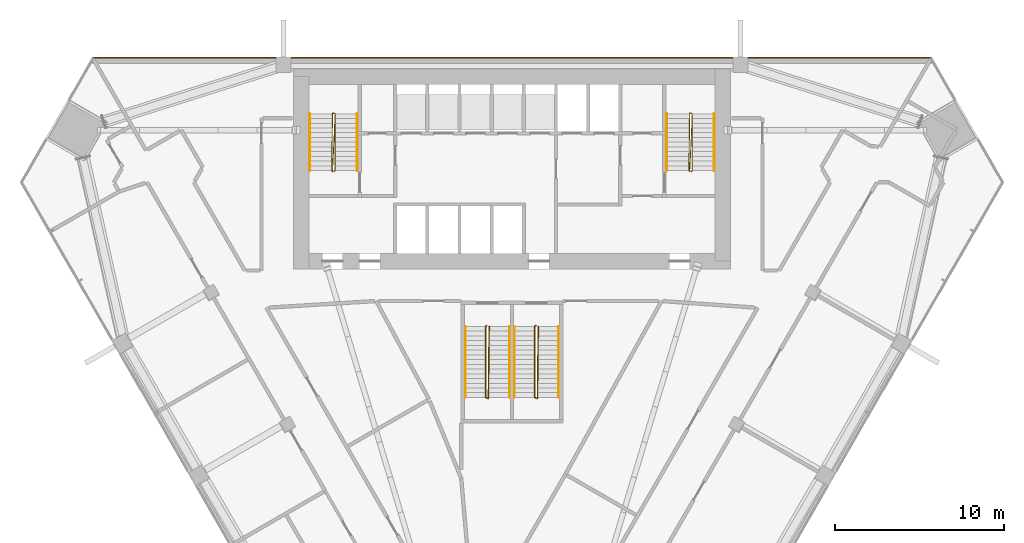
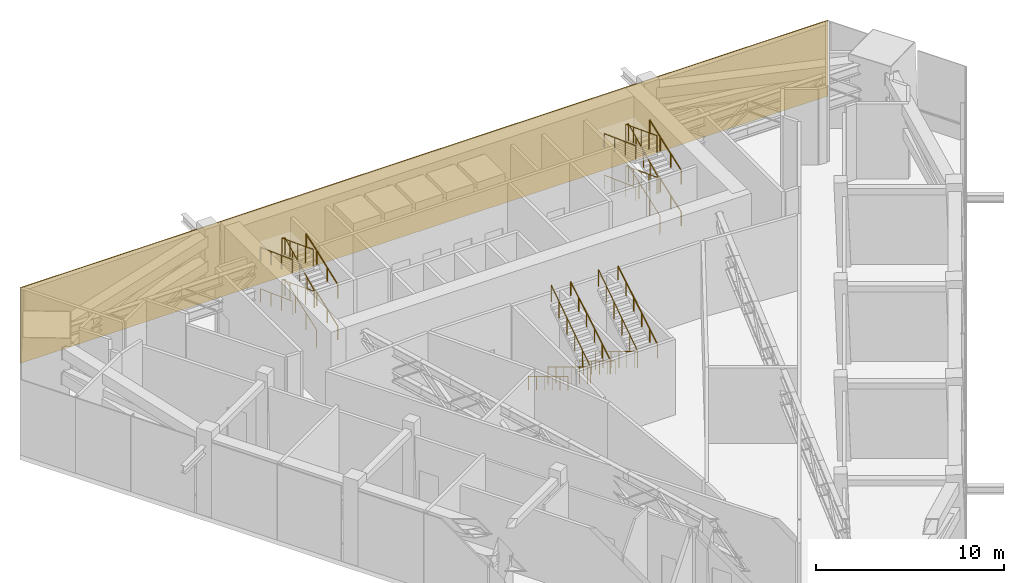
# One storey, part 14 of 15: 16 railings, 1 covering.
"""IFC4 building model written with IfcOpenShell, lengths in metres."""

from ifc_helpers import new_model, si_unit, direction, frame, frame_2d, origin, origin_2d, place, context, subcontext, project, spatial, rectangle, circle, extrude, material, layer, layer_set, type_object, element, save


model = new_model("IFC4")

# Units and contexts
model_context = context("Model", 3, precision=1e-05, world=origin(), true_north=direction((0.0, 1.0)))
body_context = subcontext(model_context, "Body", "Model", "MODEL_VIEW")
ifc_project = project(units=[si_unit("LENGTHUNIT", "METRE"), si_unit("AREAUNIT", "SQUARE_METRE"), si_unit("VOLUMEUNIT", "CUBIC_METRE"), si_unit("PLANEANGLEUNIT", "RADIAN"), si_unit("MASSUNIT", "GRAM", prefix="KILO")], contexts=[model_context])

# Site, building, storey
site_placement = place(None, origin())
site = spatial("IfcSite", under=ifc_project, at=site_placement, CompositionType="ELEMENT")
building_placement = place(site_placement, origin())
building = spatial("IfcBuilding", under=site, at=building_placement, Name="Altiplano Prism Tower", CompositionType="ELEMENT")
storey_placement = place(building_placement, frame((0.0, 0.0, 95.39990234375)))
storey = spatial("IfcBuildingStorey", under=building, at=storey_placement, Name="L24", CompositionType="ELEMENT", Elevation=95.39990234375)

# Railings
ifc_material_1 = material(Name="Steel S355", Category="steel")
railing_type_1 = type_object("IfcRailingType", Name="Stair guard 1100", PredefinedType="GUARDRAIL", material=ifc_material_1)
railing_1_placement = place(storey_placement, frame((74.5, 98.25, 0.0)))
element("IfcRailing", 1, at=railing_1_placement, inside=storey, type_object=railing_type_1, Name="L24 ST1 stair guard 1", PredefinedType="GUARDRAIL", context=body_context, shape_type="SweptSolid", body=[
    extrude(circle(Radius=0.02392578125, at=origin_2d()), frame((0.0, 0.0, 1.076171875), z_axis=(0.397832569238, 0.397832569238, 0.826715485344), x_axis=(-0.707106781187, 0.707106781187, 0.0)), (0.0, 0.0, 1.0), 0.125732421875),
    extrude(circle(Radius=0.02392578125, at=origin_2d()), frame((0.050048828125, 0.050048828125, 1.18017578125), z_axis=(0.0, 0.937594165028, 0.347731479313), x_axis=(-1.0, 0.0, 0.0)), (0.0, 0.0, 1.0), 3.58349609375),
    extrude(circle(Radius=0.02392578125, at=origin_2d()), frame((0.050048828125, 3.409912109375, 2.42626953125), z_axis=(-0.948683298051, 0.316227766017, 0.0), x_axis=(-0.316227766017, -0.948683298051, 0.0)), (0.0, 0.0, 1.0), 0.158203125),
    extrude(circle(Radius=0.02392578125, at=origin_2d()), frame((-0.10009765625, 3.4599609375, 2.42626953125), z_axis=(-0.013578905562, -0.929689088164, 0.368094841952), x_axis=(0.999893351539, -0.01460429897, 0.0)), (0.0, 0.0, 1.0), 3.667724609375),
    extrude(circle(Radius=0.02392578125, at=origin_2d()), frame((-0.14990234375, 0.050048828125, 3.7763671875), z_axis=(0.705375805398, -0.708833529934, 0.0), x_axis=(0.708833529934, 0.705375805398, 0.0)), (0.0, 0.0, 1.0), 0.070556640625),
    extrude(circle(Radius=0.02392578125, at=origin_2d()), frame((-0.10009765625, 0.0, 3.7763671875), z_axis=(0.040906914957, 0.929019319033, 0.36776314276), x_axis=(-0.99903198295, 0.043989737919, 0.0)), (0.0, 0.0, 1.0), 3.67041015625),
    extrude(circle(Radius=0.02392578125, at=origin_2d()), frame((0.050048828125, 3.409912109375, 5.1259765625), z_axis=(-0.948683298051, 0.316227766017, 0.0), x_axis=(-0.316227766017, -0.948683298051, 0.0)), (0.0, 0.0, 1.0), 0.158203125),
    extrude(circle(Radius=0.02392578125, at=origin_2d()), frame((-0.10009765625, 3.4599609375, 5.1259765625), z_axis=(-0.013578905562, -0.929689088164, 0.368094841952), x_axis=(0.999893351539, -0.01460429897, 0.0)), (0.0, 0.0, 1.0), 3.667724609375),
    extrude(circle(Radius=0.02099609375, at=origin_2d()), origin(), (0.0, 0.0, 1.0), 1.052001953125),
    extrude(circle(Radius=0.02099609375, at=origin_2d()), frame((0.050048828125, 0.050048828125, 0.10400390625)), (0.0, 0.0, 1.0), 1.052001953125),
    extrude(circle(Radius=0.02099609375, at=origin_2d()), frame((0.050048828125, 1.169921875, 0.519287109375)), (0.0, 0.0, 1.0), 1.052001953125),
    extrude(circle(Radius=0.02099609375, at=origin_2d()), frame((0.050048828125, 2.2900390625, 0.934814453125)), (0.0, 0.0, 1.0), 1.052001953125),
    extrude(circle(Radius=0.02099609375, at=origin_2d()), frame((0.050048828125, 3.409912109375, 1.35009765625)), (0.0, 0.0, 1.0), 1.052001953125),
    extrude(circle(Radius=0.02099609375, at=origin_2d()), frame((-0.10009765625, 3.4599609375, 1.35009765625)), (0.0, 0.0, 1.0), 1.052001953125),
    extrude(circle(Radius=0.02099609375, at=origin_2d()), frame((-0.112548828125, 2.607421875, 1.6875)), (0.0, 0.0, 1.0), 1.052001953125),
    extrude(circle(Radius=0.02099609375, at=origin_2d()), frame((-0.125, 1.7548828125, 2.025146484375)), (0.0, 0.0, 1.0), 1.052001953125),
    extrude(circle(Radius=0.02099609375, at=origin_2d()), frame((-0.137451171875, 0.902587890625, 2.36279296875)), (0.0, 0.0, 1.0), 1.052001953125),
    extrude(circle(Radius=0.02099609375, at=origin_2d()), frame((-0.14990234375, 0.050048828125, 2.7001953125)), (0.0, 0.0, 1.0), 1.052001953125),
    extrude(circle(Radius=0.02099609375, at=origin_2d()), frame((-0.10009765625, 0.0, 2.7001953125)), (0.0, 0.0, 1.0), 1.052001953125),
    extrude(circle(Radius=0.02099609375, at=origin_2d()), frame((-0.0625, 0.8525390625, 3.03759765625)), (0.0, 0.0, 1.0), 1.052001953125),
    extrude(circle(Radius=0.02099609375, at=origin_2d()), frame((-0.02490234375, 1.705078125, 3.375)), (0.0, 0.0, 1.0), 1.052001953125),
    extrude(circle(Radius=0.02099609375, at=origin_2d()), frame((0.012451171875, 2.557373046875, 3.712646484375)), (0.0, 0.0, 1.0), 1.052001953125),
    extrude(circle(Radius=0.02099609375, at=origin_2d()), frame((0.050048828125, 3.409912109375, 4.050048828125)), (0.0, 0.0, 1.0), 1.052001953125),
    extrude(circle(Radius=0.02099609375, at=origin_2d()), frame((-0.10009765625, 3.4599609375, 4.050048828125)), (0.0, 0.0, 1.0), 1.052001953125),
    extrude(circle(Radius=0.02099609375, at=origin_2d()), frame((-0.112548828125, 2.607421875, 4.3876953125)), (0.0, 0.0, 1.0), 1.052001953125),
    extrude(circle(Radius=0.02099609375, at=origin_2d()), frame((-0.125, 1.7548828125, 4.72509765625)), (0.0, 0.0, 1.0), 1.052001953125),
    extrude(circle(Radius=0.02099609375, at=origin_2d()), frame((-0.137451171875, 0.902587890625, 5.0625)), (0.0, 0.0, 1.0), 1.052001953125),
    extrude(circle(Radius=0.02099609375, at=origin_2d()), frame((-0.14990234375, 0.050048828125, 5.400146484375)), (0.0, 0.0, 1.0), 1.052001953125),
])
railing_2_placement = place(storey_placement, frame((95.60009765625, 98.25, 0.0)))
element("IfcRailing", 2, at=railing_2_placement, inside=storey, type_object=railing_type_1, Name="L24 ST2 stair guard 1", PredefinedType="GUARDRAIL", context=body_context, shape_type="SweptSolid", body=[
    extrude(circle(Radius=0.02392578125, at=origin_2d()), frame((0.0, 0.0, 1.076171875), z_axis=(0.396197179097, 0.398139322132, 0.827352932821), x_axis=(-0.708833529934, 0.705375805398, 0.0)), (0.0, 0.0, 1.0), 0.125732421875),
    extrude(circle(Radius=0.02392578125, at=origin_2d()), frame((0.0498046875, 0.050048828125, 1.18017578125), z_axis=(0.0, 0.937594165028, 0.347731479313), x_axis=(-1.0, 0.0, 0.0)), (0.0, 0.0, 1.0), 3.58349609375),
    extrude(circle(Radius=0.02392578125, at=origin_2d()), frame((0.0498046875, 3.409912109375, 2.42626953125), z_axis=(-0.948528701346, 0.316691178788, 0.0), x_axis=(-0.316691178788, -0.948528701346, 0.0)), (0.0, 0.0, 1.0), 0.157958984375),
    extrude(circle(Radius=0.02392578125, at=origin_2d()), frame((-0.10009765625, 3.4599609375, 2.42626953125), z_axis=(-0.013645456461, -0.929688245801, 0.368094508433), x_axis=(0.999892303572, -0.014675873289, 0.0)), (0.0, 0.0, 1.0), 3.667724609375),
    extrude(circle(Radius=0.02392578125, at=origin_2d()), frame((-0.150146484375, 0.050048828125, 3.7763671875), z_axis=(0.707106781187, -0.707106781187, 0.0), x_axis=(0.707106781187, 0.707106781187, 0.0)), (0.0, 0.0, 1.0), 0.07080078125),
    extrude(circle(Radius=0.02392578125, at=origin_2d()), frame((-0.10009765625, 0.0, 3.7763671875), z_axis=(0.040840510682, 0.92902184479, 0.367764142611), x_axis=(-0.999035123863, 0.043918347967, 0.0)), (0.0, 0.0, 1.0), 3.67041015625),
    extrude(circle(Radius=0.02392578125, at=origin_2d()), frame((0.0498046875, 3.409912109375, 5.1259765625), z_axis=(-0.948528701346, 0.316691178788, 0.0), x_axis=(-0.316691178788, -0.948528701346, 0.0)), (0.0, 0.0, 1.0), 0.157958984375),
    extrude(circle(Radius=0.02392578125, at=origin_2d()), frame((-0.10009765625, 3.4599609375, 5.1259765625), z_axis=(-0.013645456461, -0.929688245801, 0.368094508433), x_axis=(0.999892303572, -0.014675873289, 0.0)), (0.0, 0.0, 1.0), 3.667724609375),
    extrude(circle(Radius=0.02099609375, at=origin_2d()), origin(), (0.0, 0.0, 1.0), 1.052001953125),
    extrude(circle(Radius=0.02099609375, at=origin_2d()), frame((0.0498046875, 0.050048828125, 0.10400390625)), (0.0, 0.0, 1.0), 1.052001953125),
    extrude(circle(Radius=0.02099609375, at=origin_2d()), frame((0.0498046875, 1.169921875, 0.519287109375)), (0.0, 0.0, 1.0), 1.052001953125),
    extrude(circle(Radius=0.02099609375, at=origin_2d()), frame((0.0498046875, 2.2900390625, 0.934814453125)), (0.0, 0.0, 1.0), 1.052001953125),
    extrude(circle(Radius=0.02099609375, at=origin_2d()), frame((0.0498046875, 3.409912109375, 1.35009765625)), (0.0, 0.0, 1.0), 1.052001953125),
    extrude(circle(Radius=0.02099609375, at=origin_2d()), frame((-0.10009765625, 3.4599609375, 1.35009765625)), (0.0, 0.0, 1.0), 1.052001953125),
    extrude(circle(Radius=0.02099609375, at=origin_2d()), frame((-0.112548828125, 2.607421875, 1.6875)), (0.0, 0.0, 1.0), 1.052001953125),
    extrude(circle(Radius=0.02099609375, at=origin_2d()), frame((-0.125, 1.7548828125, 2.025146484375)), (0.0, 0.0, 1.0), 1.052001953125),
    extrude(circle(Radius=0.02099609375, at=origin_2d()), frame((-0.1376953125, 0.902587890625, 2.36279296875)), (0.0, 0.0, 1.0), 1.052001953125),
    extrude(circle(Radius=0.02099609375, at=origin_2d()), frame((-0.150146484375, 0.050048828125, 2.7001953125)), (0.0, 0.0, 1.0), 1.052001953125),
    extrude(circle(Radius=0.02099609375, at=origin_2d()), frame((-0.10009765625, 0.0, 2.7001953125)), (0.0, 0.0, 1.0), 1.052001953125),
    extrude(circle(Radius=0.02099609375, at=origin_2d()), frame((-0.0625, 0.8525390625, 3.03759765625)), (0.0, 0.0, 1.0), 1.052001953125),
    extrude(circle(Radius=0.02099609375, at=origin_2d()), frame((-0.025146484375, 1.705078125, 3.375)), (0.0, 0.0, 1.0), 1.052001953125),
    extrude(circle(Radius=0.02099609375, at=origin_2d()), frame((0.01220703125, 2.557373046875, 3.712646484375)), (0.0, 0.0, 1.0), 1.052001953125),
    extrude(circle(Radius=0.02099609375, at=origin_2d()), frame((0.0498046875, 3.409912109375, 4.050048828125)), (0.0, 0.0, 1.0), 1.052001953125),
    extrude(circle(Radius=0.02099609375, at=origin_2d()), frame((-0.10009765625, 3.4599609375, 4.050048828125)), (0.0, 0.0, 1.0), 1.052001953125),
    extrude(circle(Radius=0.02099609375, at=origin_2d()), frame((-0.112548828125, 2.607421875, 4.3876953125)), (0.0, 0.0, 1.0), 1.052001953125),
    extrude(circle(Radius=0.02099609375, at=origin_2d()), frame((-0.125, 1.7548828125, 4.72509765625)), (0.0, 0.0, 1.0), 1.052001953125),
    extrude(circle(Radius=0.02099609375, at=origin_2d()), frame((-0.1376953125, 0.902587890625, 5.0625)), (0.0, 0.0, 1.0), 1.052001953125),
    extrude(circle(Radius=0.02099609375, at=origin_2d()), frame((-0.150146484375, 0.050048828125, 5.400146484375)), (0.0, 0.0, 1.0), 1.052001953125),
])
railing_3_placement = place(storey_placement, frame((83.5, 89.14990234375, 0.0)))
element("IfcRailing", 3, at=railing_3_placement, inside=storey, type_object=railing_type_1, Name="L24 ST3A stair guard 1", PredefinedType="GUARDRAIL", context=body_context, shape_type="SweptSolid", body=[
    extrude(circle(Radius=0.02392578125, at=origin_2d()), frame((0.0, 0.0, 1.076171875), z_axis=(-0.273332118527, -0.271998791119, 0.922662565953), x_axis=(0.705375805398, -0.708833529934, 0.0)), (0.0, 0.0, 1.0), 0.18310546875),
    extrude(circle(Radius=0.02392578125, at=origin_2d()), frame((-0.050048828125, -0.0498046875, 1.2451171875), z_axis=(0.0, -0.856489757249, 0.516164020179), x_axis=(1.0, 0.0, 0.0)), (0.0, 0.0, 1.0), 4.904052734375),
    extrude(circle(Radius=0.02392578125, at=origin_2d()), frame((-0.050048828125, -4.25, 3.7763671875), z_axis=(0.949145278916, -0.314838433982, 0.0), x_axis=(0.314838433982, 0.949145278916, 0.0)), (0.0, 0.0, 1.0), 0.158203125),
    extrude(circle(Radius=0.02392578125, at=origin_2d()), frame((0.10009765625, -4.2998046875, 3.7763671875), z_axis=(0.009891014468, 0.844033234581, 0.536199651955), x_axis=(-0.999931342521, 0.01171794542, 0.0)), (0.0, 0.0, 1.0), 5.035400390625),
    extrude(circle(Radius=0.02099609375, at=origin_2d()), origin(), (0.0, 0.0, 1.0), 1.052001953125),
    extrude(circle(Radius=0.02099609375, at=origin_2d()), frame((-0.050048828125, -0.0498046875, 0.1689453125)), (0.0, 0.0, 1.0), 1.052001953125),
    extrude(circle(Radius=0.02099609375, at=origin_2d()), frame((-0.050048828125, -0.889892578125, 0.67529296875)), (0.0, 0.0, 1.0), 1.052001953125),
    extrude(circle(Radius=0.02099609375, at=origin_2d()), frame((-0.050048828125, -1.72998046875, 1.181396484375)), (0.0, 0.0, 1.0), 1.052001953125),
    extrude(circle(Radius=0.02099609375, at=origin_2d()), frame((-0.050048828125, -2.56982421875, 1.687744140625)), (0.0, 0.0, 1.0), 1.052001953125),
    extrude(circle(Radius=0.02099609375, at=origin_2d()), frame((-0.050048828125, -3.409912109375, 2.19384765625)), (0.0, 0.0, 1.0), 1.052001953125),
    extrude(circle(Radius=0.02099609375, at=origin_2d()), frame((-0.050048828125, -4.25, 2.7001953125)), (0.0, 0.0, 1.0), 1.052001953125),
    extrude(circle(Radius=0.02099609375, at=origin_2d()), frame((0.10009765625, -4.2998046875, 2.7001953125)), (0.0, 0.0, 1.0), 1.052001953125),
    extrude(circle(Radius=0.02099609375, at=origin_2d()), frame((0.110107421875, -3.44970703125, 3.240234375)), (0.0, 0.0, 1.0), 1.052001953125),
    extrude(circle(Radius=0.02099609375, at=origin_2d()), frame((0.1201171875, -2.599853515625, 3.7802734375)), (0.0, 0.0, 1.0), 1.052001953125),
    extrude(circle(Radius=0.02099609375, at=origin_2d()), frame((0.1298828125, -1.749755859375, 4.320068359375)), (0.0, 0.0, 1.0), 1.052001953125),
    extrude(circle(Radius=0.02099609375, at=origin_2d()), frame((0.139892578125, -0.89990234375, 4.860107421875)), (0.0, 0.0, 1.0), 1.052001953125),
    extrude(circle(Radius=0.02099609375, at=origin_2d()), frame((0.14990234375, -0.0498046875, 5.400146484375)), (0.0, 0.0, 1.0), 1.052001953125),
])
railing_4_placement = place(storey_placement, frame((86.39990234375, 89.14990234375, 0.0)))
element("IfcRailing", 4, at=railing_4_placement, inside=storey, type_object=railing_type_1, Name="L24 ST3B stair guard 1", PredefinedType="GUARDRAIL", context=body_context, shape_type="SweptSolid", body=[
    extrude(circle(Radius=0.02392578125, at=origin_2d()), frame((0.0, 0.0, 1.076171875), z_axis=(-0.27209773087, -0.27209773087, 0.922998185107), x_axis=(0.707106781187, -0.707106781187, 0.0)), (0.0, 0.0, 1.0), 0.18310546875),
    extrude(circle(Radius=0.02392578125, at=origin_2d()), frame((-0.0498046875, -0.0498046875, 1.2451171875), z_axis=(0.0, -0.856489757249, 0.516164020179), x_axis=(1.0, 0.0, 0.0)), (0.0, 0.0, 1.0), 4.904052734375),
    extrude(circle(Radius=0.02392578125, at=origin_2d()), frame((-0.0498046875, -4.25, 3.7763671875), z_axis=(0.948991962702, -0.315300261223, 0.0), x_axis=(0.315300261223, 0.948991962702, 0.0)), (0.0, 0.0, 1.0), 0.157958984375),
    extrude(circle(Radius=0.02392578125, at=origin_2d()), frame((0.10009765625, -4.2998046875, 3.7763671875), z_axis=(0.009939495054, 0.844032828816, 0.53619939418), x_axis=(-0.999930667828, 0.011775378384, 0.0)), (0.0, 0.0, 1.0), 5.035400390625),
    extrude(circle(Radius=0.02099609375, at=origin_2d()), origin(), (0.0, 0.0, 1.0), 1.052001953125),
    extrude(circle(Radius=0.02099609375, at=origin_2d()), frame((-0.0498046875, -0.0498046875, 0.1689453125)), (0.0, 0.0, 1.0), 1.052001953125),
    extrude(circle(Radius=0.02099609375, at=origin_2d()), frame((-0.0498046875, -0.889892578125, 0.67529296875)), (0.0, 0.0, 1.0), 1.052001953125),
    extrude(circle(Radius=0.02099609375, at=origin_2d()), frame((-0.0498046875, -1.72998046875, 1.181396484375)), (0.0, 0.0, 1.0), 1.052001953125),
    extrude(circle(Radius=0.02099609375, at=origin_2d()), frame((-0.0498046875, -2.56982421875, 1.687744140625)), (0.0, 0.0, 1.0), 1.052001953125),
    extrude(circle(Radius=0.02099609375, at=origin_2d()), frame((-0.0498046875, -3.409912109375, 2.19384765625)), (0.0, 0.0, 1.0), 1.052001953125),
    extrude(circle(Radius=0.02099609375, at=origin_2d()), frame((-0.0498046875, -4.25, 2.7001953125)), (0.0, 0.0, 1.0), 1.052001953125),
    extrude(circle(Radius=0.02099609375, at=origin_2d()), frame((0.10009765625, -4.2998046875, 2.7001953125)), (0.0, 0.0, 1.0), 1.052001953125),
    extrude(circle(Radius=0.02099609375, at=origin_2d()), frame((0.110107421875, -3.44970703125, 3.240234375)), (0.0, 0.0, 1.0), 1.052001953125),
    extrude(circle(Radius=0.02099609375, at=origin_2d()), frame((0.1201171875, -2.599853515625, 3.7802734375)), (0.0, 0.0, 1.0), 1.052001953125),
    extrude(circle(Radius=0.02099609375, at=origin_2d()), frame((0.130126953125, -1.749755859375, 4.320068359375)), (0.0, 0.0, 1.0), 1.052001953125),
    extrude(circle(Radius=0.02099609375, at=origin_2d()), frame((0.14013671875, -0.89990234375, 4.860107421875)), (0.0, 0.0, 1.0), 1.052001953125),
    extrude(circle(Radius=0.02099609375, at=origin_2d()), frame((0.150146484375, -0.0498046875, 5.400146484375)), (0.0, 0.0, 1.0), 1.052001953125),
])
railing_type_2 = type_object("IfcRailingType", Name="Stair handrail 900", PredefinedType="HANDRAIL", material=ifc_material_1)
railing_5_placement = place(storey_placement, frame((75.85009765625, 98.300048828125, 0.10400390625)))
element("IfcRailing", 5, at=railing_5_placement, inside=storey, type_object=railing_type_2, Name="L24 ST1 stair handrail 1", PredefinedType="HANDRAIL", context=body_context, shape_type="SweptSolid", body=[
    extrude(circle(Radius=0.02392578125, at=origin_2d()), frame((0.0, 0.0, 0.8759765625), z_axis=(0.0, 0.937594165028, 0.347731479313), x_axis=(-1.0, 0.0, 0.0)), (0.0, 0.0, 1.0), 3.58349609375),
    extrude(circle(Radius=0.02099609375, at=origin_2d()), origin(), (0.0, 0.0, 1.0), 0.851806640625),
    extrude(circle(Radius=0.02099609375, at=origin_2d()), frame((0.0, 1.119873046875, 0.415283203125)), (0.0, 0.0, 1.0), 0.851806640625),
    extrude(circle(Radius=0.02099609375, at=origin_2d()), frame((0.0, 2.239990234375, 0.830810546875)), (0.0, 0.0, 1.0), 0.851806640625),
    extrude(circle(Radius=0.02099609375, at=origin_2d()), frame((0.0, 3.35986328125, 1.24609375)), (0.0, 0.0, 1.0), 0.851806640625),
])
railing_6_placement = place(storey_placement, frame((73.050048828125, 101.659912109375, 1.453857421875)))
element("IfcRailing", 6, at=railing_6_placement, inside=storey, type_object=railing_type_2, Name="L24 ST1 stair handrail 2", PredefinedType="HANDRAIL", context=body_context, shape_type="SweptSolid", body=[
    extrude(circle(Radius=0.02392578125, at=origin_2d()), frame((0.0, 0.0, 0.8759765625), z_axis=(0.0, -0.937571951407, 0.347791368401), x_axis=(1.0, 0.0, 0.0)), (0.0, 0.0, 1.0), 3.58349609375),
    extrude(circle(Radius=0.02099609375, at=origin_2d()), origin(), (0.0, 0.0, 1.0), 0.851806640625),
    extrude(circle(Radius=0.02099609375, at=origin_2d()), frame((0.0, -1.119873046875, 0.41552734375)), (0.0, 0.0, 1.0), 0.851806640625),
    extrude(circle(Radius=0.02099609375, at=origin_2d()), frame((0.0, -2.239990234375, 0.830810546875)), (0.0, 0.0, 1.0), 0.851806640625),
    extrude(circle(Radius=0.02099609375, at=origin_2d()), frame((0.0, -3.35986328125, 1.246337890625)), (0.0, 0.0, 1.0), 0.851806640625),
])
railing_7_placement = place(storey_placement, frame((75.85009765625, 98.300048828125, 2.803955078125)))
element("IfcRailing", 7, at=railing_7_placement, inside=storey, type_object=railing_type_2, Name="L24 ST1 stair handrail 3", PredefinedType="HANDRAIL", context=body_context, shape_type="SweptSolid", body=[
    extrude(circle(Radius=0.02392578125, at=origin_2d()), frame((0.0, 0.0, 0.8759765625), z_axis=(0.0, 0.937594165028, 0.347731479313), x_axis=(-1.0, 0.0, 0.0)), (0.0, 0.0, 1.0), 3.58349609375),
    extrude(circle(Radius=0.02099609375, at=origin_2d()), origin(), (0.0, 0.0, 1.0), 0.851806640625),
    extrude(circle(Radius=0.02099609375, at=origin_2d()), frame((0.0, 1.119873046875, 0.415283203125)), (0.0, 0.0, 1.0), 0.851806640625),
    extrude(circle(Radius=0.02099609375, at=origin_2d()), frame((0.0, 2.239990234375, 0.830810546875)), (0.0, 0.0, 1.0), 0.851806640625),
    extrude(circle(Radius=0.02099609375, at=origin_2d()), frame((0.0, 3.35986328125, 1.24609375)), (0.0, 0.0, 1.0), 0.851806640625),
])
railing_8_placement = place(storey_placement, frame((73.050048828125, 101.659912109375, 4.154052734375)))
element("IfcRailing", 8, at=railing_8_placement, inside=storey, type_object=railing_type_2, Name="L24 ST1 stair handrail 4", PredefinedType="HANDRAIL", context=body_context, shape_type="SweptSolid", body=[
    extrude(circle(Radius=0.02392578125, at=origin_2d()), frame((0.0, 0.0, 0.8759765625), z_axis=(0.0, -0.937594165028, 0.347731479313), x_axis=(1.0, 0.0, 0.0)), (0.0, 0.0, 1.0), 3.58349609375),
    extrude(circle(Radius=0.02099609375, at=origin_2d()), origin(), (0.0, 0.0, 1.0), 0.851806640625),
    extrude(circle(Radius=0.02099609375, at=origin_2d()), frame((0.0, -1.119873046875, 0.415283203125)), (0.0, 0.0, 1.0), 0.851806640625),
    extrude(circle(Radius=0.02099609375, at=origin_2d()), frame((0.0, -2.239990234375, 0.830810546875)), (0.0, 0.0, 1.0), 0.851806640625),
    extrude(circle(Radius=0.02099609375, at=origin_2d()), frame((0.0, -3.35986328125, 1.24609375)), (0.0, 0.0, 1.0), 0.851806640625),
])
railing_9_placement = place(storey_placement, frame((96.949951171875, 98.300048828125, 0.10400390625)))
element("IfcRailing", 9, at=railing_9_placement, inside=storey, type_object=railing_type_2, Name="L24 ST2 stair handrail 1", PredefinedType="HANDRAIL", context=body_context, shape_type="SweptSolid", body=[
    extrude(circle(Radius=0.02392578125, at=origin_2d()), frame((0.0, 0.0, 0.8759765625), z_axis=(0.0, 0.937594165028, 0.347731479313), x_axis=(-1.0, 0.0, 0.0)), (0.0, 0.0, 1.0), 3.58349609375),
    extrude(circle(Radius=0.02099609375, at=origin_2d()), origin(), (0.0, 0.0, 1.0), 0.851806640625),
    extrude(circle(Radius=0.02099609375, at=origin_2d()), frame((0.0, 1.119873046875, 0.415283203125)), (0.0, 0.0, 1.0), 0.851806640625),
    extrude(circle(Radius=0.02099609375, at=origin_2d()), frame((0.0, 2.239990234375, 0.830810546875)), (0.0, 0.0, 1.0), 0.851806640625),
    extrude(circle(Radius=0.02099609375, at=origin_2d()), frame((0.0, 3.35986328125, 1.24609375)), (0.0, 0.0, 1.0), 0.851806640625),
])
railing_10_placement = place(storey_placement, frame((94.14990234375, 101.659912109375, 1.453857421875)))
element("IfcRailing", 10, at=railing_10_placement, inside=storey, type_object=railing_type_2, Name="L24 ST2 stair handrail 2", PredefinedType="HANDRAIL", context=body_context, shape_type="SweptSolid", body=[
    extrude(circle(Radius=0.02392578125, at=origin_2d()), frame((0.0, 0.0, 0.8759765625), z_axis=(0.0, -0.937571951407, 0.347791368401), x_axis=(1.0, 0.0, 0.0)), (0.0, 0.0, 1.0), 3.58349609375),
    extrude(circle(Radius=0.02099609375, at=origin_2d()), origin(), (0.0, 0.0, 1.0), 0.851806640625),
    extrude(circle(Radius=0.02099609375, at=origin_2d()), frame((0.0, -1.119873046875, 0.41552734375)), (0.0, 0.0, 1.0), 0.851806640625),
    extrude(circle(Radius=0.02099609375, at=origin_2d()), frame((0.0, -2.239990234375, 0.830810546875)), (0.0, 0.0, 1.0), 0.851806640625),
    extrude(circle(Radius=0.02099609375, at=origin_2d()), frame((0.0, -3.35986328125, 1.246337890625)), (0.0, 0.0, 1.0), 0.851806640625),
])
railing_11_placement = place(storey_placement, frame((96.949951171875, 98.300048828125, 2.803955078125)))
element("IfcRailing", 11, at=railing_11_placement, inside=storey, type_object=railing_type_2, Name="L24 ST2 stair handrail 3", PredefinedType="HANDRAIL", context=body_context, shape_type="SweptSolid", body=[
    extrude(circle(Radius=0.02392578125, at=origin_2d()), frame((0.0, 0.0, 0.8759765625), z_axis=(0.0, 0.937594165028, 0.347731479313), x_axis=(-1.0, 0.0, 0.0)), (0.0, 0.0, 1.0), 3.58349609375),
    extrude(circle(Radius=0.02099609375, at=origin_2d()), origin(), (0.0, 0.0, 1.0), 0.851806640625),
    extrude(circle(Radius=0.02099609375, at=origin_2d()), frame((0.0, 1.119873046875, 0.415283203125)), (0.0, 0.0, 1.0), 0.851806640625),
    extrude(circle(Radius=0.02099609375, at=origin_2d()), frame((0.0, 2.239990234375, 0.830810546875)), (0.0, 0.0, 1.0), 0.851806640625),
    extrude(circle(Radius=0.02099609375, at=origin_2d()), frame((0.0, 3.35986328125, 1.24609375)), (0.0, 0.0, 1.0), 0.851806640625),
])
railing_12_placement = place(storey_placement, frame((94.14990234375, 101.659912109375, 4.154052734375)))
element("IfcRailing", 12, at=railing_12_placement, inside=storey, type_object=railing_type_2, Name="L24 ST2 stair handrail 4", PredefinedType="HANDRAIL", context=body_context, shape_type="SweptSolid", body=[
    extrude(circle(Radius=0.02392578125, at=origin_2d()), frame((0.0, 0.0, 0.8759765625), z_axis=(0.0, -0.937594165028, 0.347731479313), x_axis=(1.0, 0.0, 0.0)), (0.0, 0.0, 1.0), 3.58349609375),
    extrude(circle(Radius=0.02099609375, at=origin_2d()), origin(), (0.0, 0.0, 1.0), 0.851806640625),
    extrude(circle(Radius=0.02099609375, at=origin_2d()), frame((0.0, -1.119873046875, 0.415283203125)), (0.0, 0.0, 1.0), 0.851806640625),
    extrude(circle(Radius=0.02099609375, at=origin_2d()), frame((0.0, -2.239990234375, 0.830810546875)), (0.0, 0.0, 1.0), 0.851806640625),
    extrude(circle(Radius=0.02099609375, at=origin_2d()), frame((0.0, -3.35986328125, 1.24609375)), (0.0, 0.0, 1.0), 0.851806640625),
])
railing_13_placement = place(storey_placement, frame((82.25, 89.10009765625, 0.1689453125)))
element("IfcRailing", 13, at=railing_13_placement, inside=storey, type_object=railing_type_2, Name="L24 ST3A stair handrail 1", PredefinedType="HANDRAIL", context=body_context, shape_type="SweptSolid", body=[
    extrude(circle(Radius=0.02392578125, at=origin_2d()), frame((0.0, 0.0, 0.8759765625), z_axis=(0.0, -0.856489757249, 0.516164020179), x_axis=(1.0, 0.0, 0.0)), (0.0, 0.0, 1.0), 4.904052734375),
    extrude(circle(Radius=0.02099609375, at=origin_2d()), origin(), (0.0, 0.0, 1.0), 0.851806640625),
    extrude(circle(Radius=0.02099609375, at=origin_2d()), frame((0.0, -0.840087890625, 0.50634765625)), (0.0, 0.0, 1.0), 0.851806640625),
    extrude(circle(Radius=0.02099609375, at=origin_2d()), frame((0.0, -1.68017578125, 1.012451171875)), (0.0, 0.0, 1.0), 0.851806640625),
    extrude(circle(Radius=0.02099609375, at=origin_2d()), frame((0.0, -2.52001953125, 1.518798828125)), (0.0, 0.0, 1.0), 0.851806640625),
    extrude(circle(Radius=0.02099609375, at=origin_2d()), frame((0.0, -3.360107421875, 2.02490234375)), (0.0, 0.0, 1.0), 0.851806640625),
    extrude(circle(Radius=0.02099609375, at=origin_2d()), frame((0.0, -4.2001953125, 2.53125)), (0.0, 0.0, 1.0), 0.851806640625),
])
railing_14_placement = place(storey_placement, frame((84.85009765625, 84.89990234375, 2.868896484375)))
element("IfcRailing", 14, at=railing_14_placement, inside=storey, type_object=railing_type_2, Name="L24 ST3A stair handrail 2", PredefinedType="HANDRAIL", context=body_context, shape_type="SweptSolid", body=[
    extrude(circle(Radius=0.02392578125, at=origin_2d()), frame((0.0, 0.0, 0.8759765625), z_axis=(0.0, 0.856489757249, 0.516164020179), x_axis=(-1.0, 0.0, 0.0)), (0.0, 0.0, 1.0), 4.904052734375),
    extrude(circle(Radius=0.02099609375, at=origin_2d()), origin(), (0.0, 0.0, 1.0), 0.851806640625),
    extrude(circle(Radius=0.02099609375, at=origin_2d()), frame((0.0, 0.840087890625, 0.50634765625)), (0.0, 0.0, 1.0), 0.851806640625),
    extrude(circle(Radius=0.02099609375, at=origin_2d()), frame((0.0, 1.68017578125, 1.012451171875)), (0.0, 0.0, 1.0), 0.851806640625),
    extrude(circle(Radius=0.02099609375, at=origin_2d()), frame((0.0, 2.52001953125, 1.518798828125)), (0.0, 0.0, 1.0), 0.851806640625),
    extrude(circle(Radius=0.02099609375, at=origin_2d()), frame((0.0, 3.360107421875, 2.02490234375)), (0.0, 0.0, 1.0), 0.851806640625),
    extrude(circle(Radius=0.02099609375, at=origin_2d()), frame((0.0, 4.2001953125, 2.53125)), (0.0, 0.0, 1.0), 0.851806640625),
])
railing_15_placement = place(storey_placement, frame((85.14990234375, 89.10009765625, 0.1689453125)))
element("IfcRailing", 15, at=railing_15_placement, inside=storey, type_object=railing_type_2, Name="L24 ST3B stair handrail 1", PredefinedType="HANDRAIL", context=body_context, shape_type="SweptSolid", body=[
    extrude(circle(Radius=0.02392578125, at=origin_2d()), frame((0.0, 0.0, 0.8759765625), z_axis=(0.0, -0.856489757249, 0.516164020179), x_axis=(1.0, 0.0, 0.0)), (0.0, 0.0, 1.0), 4.904052734375),
    extrude(circle(Radius=0.02099609375, at=origin_2d()), origin(), (0.0, 0.0, 1.0), 0.851806640625),
    extrude(circle(Radius=0.02099609375, at=origin_2d()), frame((0.0, -0.840087890625, 0.50634765625)), (0.0, 0.0, 1.0), 0.851806640625),
    extrude(circle(Radius=0.02099609375, at=origin_2d()), frame((0.0, -1.68017578125, 1.012451171875)), (0.0, 0.0, 1.0), 0.851806640625),
    extrude(circle(Radius=0.02099609375, at=origin_2d()), frame((0.0, -2.52001953125, 1.518798828125)), (0.0, 0.0, 1.0), 0.851806640625),
    extrude(circle(Radius=0.02099609375, at=origin_2d()), frame((0.0, -3.360107421875, 2.02490234375)), (0.0, 0.0, 1.0), 0.851806640625),
    extrude(circle(Radius=0.02099609375, at=origin_2d()), frame((0.0, -4.2001953125, 2.53125)), (0.0, 0.0, 1.0), 0.851806640625),
])
railing_16_placement = place(storey_placement, frame((87.75, 84.89990234375, 2.868896484375)))
element("IfcRailing", 16, at=railing_16_placement, inside=storey, type_object=railing_type_2, Name="L24 ST3B stair handrail 2", PredefinedType="HANDRAIL", context=body_context, shape_type="SweptSolid", body=[
    extrude(circle(Radius=0.02392578125, at=origin_2d()), frame((0.0, 0.0, 0.8759765625), z_axis=(0.0, 0.856489757249, 0.516164020179), x_axis=(-1.0, 0.0, 0.0)), (0.0, 0.0, 1.0), 4.904052734375),
    extrude(circle(Radius=0.02099609375, at=origin_2d()), origin(), (0.0, 0.0, 1.0), 0.851806640625),
    extrude(circle(Radius=0.02099609375, at=origin_2d()), frame((0.0, 0.840087890625, 0.50634765625)), (0.0, 0.0, 1.0), 0.851806640625),
    extrude(circle(Radius=0.02099609375, at=origin_2d()), frame((0.0, 1.68017578125, 1.012451171875)), (0.0, 0.0, 1.0), 0.851806640625),
    extrude(circle(Radius=0.02099609375, at=origin_2d()), frame((0.0, 2.52001953125, 1.518798828125)), (0.0, 0.0, 1.0), 0.851806640625),
    extrude(circle(Radius=0.02099609375, at=origin_2d()), frame((0.0, 3.360107421875, 2.02490234375)), (0.0, 0.0, 1.0), 0.851806640625),
    extrude(circle(Radius=0.02099609375, at=origin_2d()), frame((0.0, 4.2001953125, 2.53125)), (0.0, 0.0, 1.0), 0.851806640625),
])

# Covering
ifc_material_2 = material(Name="Warm limestone cast stone", Category="masonry")
ifc_layer = layer(ifc_material_2, 0.06005859375)
ifc_layer_set = layer_set([ifc_layer], Name="Warm limestone cast stone")
covering_type = type_object("IfcCoveringType", Name="Stone cladding 60", PredefinedType="CLADDING", material=ifc_layer_set)
covering_placement = place(storey_placement, frame((60.2041015625, 104.969970703125, 0.0), z_axis=(0.0, 0.0, 1.0), x_axis=(1.0, 0.0, 0.0)))
element("IfcCovering", 17, at=covering_placement, inside=storey, type_object=covering_type, Name="Stone cladding north face L24", PredefinedType="CLADDING", context=body_context, shape_type="SweptSolid", body=[
    extrude(rectangle(XDim=49.591796875, YDim=0.06005859375, at=frame_2d((24.7958984375, 0.0))), origin(), (0.0, 0.0, 1.0), 4.900146484375),
])

save(model, "model.ifc")
